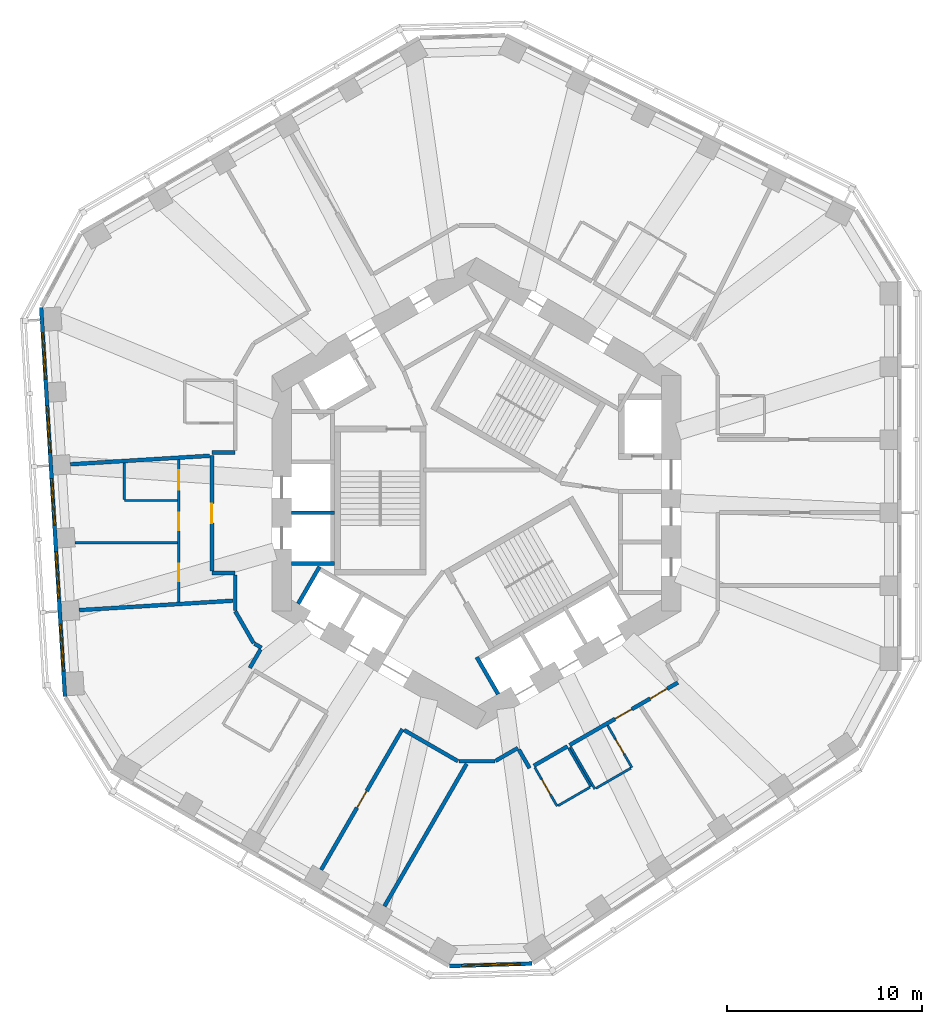
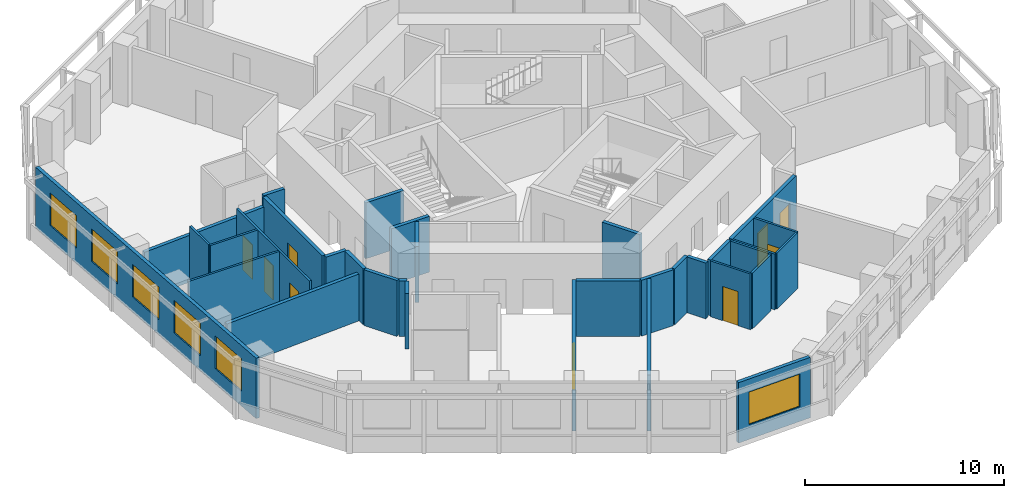
# One storey, part 4 of 11: 33 walls, 9 doors, 6 windows, 15 openings.
"""IFC4 building model written with IfcOpenShell, lengths in metres."""

from ifc_helpers import new_model, si_unit, direction, frame, frame_2d, origin, place, context, subcontext, project, spatial, rectangle, extrude, material, layer, layer_set, type_object, element, fill, save


model = new_model("IFC4")

# Units and contexts
model_context = context("Model", 3, precision=1e-05, world=origin(), true_north=direction((0.0, 1.0)))
body_context = subcontext(model_context, "Body", "Model", "MODEL_VIEW")
ifc_project = project(units=[si_unit("LENGTHUNIT", "METRE"), si_unit("AREAUNIT", "SQUARE_METRE"), si_unit("VOLUMEUNIT", "CUBIC_METRE"), si_unit("PLANEANGLEUNIT", "RADIAN"), si_unit("MASSUNIT", "GRAM", prefix="KILO")], contexts=[model_context])

# Site, building, storey
site_placement = place(None, origin())
site = spatial("IfcSite", under=ifc_project, at=site_placement, CompositionType="ELEMENT")
building_placement = place(site_placement, origin())
building = spatial("IfcBuilding", under=site, at=building_placement, Name="Vanh Sen Convention Tower", CompositionType="ELEMENT")
storey_placement = place(building_placement, frame((0.0, 0.0, 168.800048828125)))
storey = spatial("IfcBuildingStorey", under=building, at=storey_placement, Name="L41", CompositionType="ELEMENT", Elevation=168.800048828125)

# Walls
ifc_material_1 = material(Name="Moisture-resistant gypsum board on steel studs", Category="steel")
ifc_layer_1 = layer(ifc_material_1, 0.1201171875)
ifc_layer_set_1 = layer_set([ifc_layer_1], Name="Moisture-resistant gypsum board on steel studs")
wall_type_1 = type_object("IfcWallType", Name="Bathroom partition 120", PredefinedType="PARTITIONING", material=ifc_layer_set_1)
wall_1_placement = place(storey_placement, frame((-20.63330078125, -2.540771484375, 0.0), z_axis=(0.0, 0.0, 1.0), x_axis=(1.0, 0.0, 0.0)))
element("IfcWall", 1, at=wall_1_placement, inside=storey, type_object=wall_type_1, Name="Bathroom partition 120", PredefinedType="PARTITIONING", context=body_context, shape_type="SweptSolid", body=[
    extrude(rectangle(XDim=5.272216796875, YDim=0.1201171875, at=frame_2d((2.63623046875, 0.0))), origin(), (0.0, 0.0, 1.0), 3.419921875),
])
wall_2_placement = place(storey_placement, frame((-18.10107421875, -0.369384765625, 0.0), z_axis=(0.0, 0.0, 1.0), x_axis=(1.0, 0.0, 0.0)))
element("IfcWall", 2, at=wall_2_placement, inside=storey, type_object=wall_type_1, Name="Bathroom partition 120", PredefinedType="PARTITIONING", context=body_context, shape_type="SweptSolid", body=[
    extrude(rectangle(XDim=2.739990234375, YDim=0.1201171875, at=frame_2d((1.3701171875, 0.0))), origin(), (0.0, 0.0, 1.0), 3.419921875),
])
wall_3_placement = place(storey_placement, frame((-18.10107421875, 1.559326171875, 0.0), z_axis=(0.0, 0.0, 1.0), x_axis=(0.0, -1.0, 0.0)))
element("IfcWall", 3, at=wall_3_placement, inside=storey, type_object=wall_type_1, Name="Bathroom partition 120", PredefinedType="PARTITIONING", context=body_context, shape_type="SweptSolid", body=[
    extrude(rectangle(XDim=1.86865234375, YDim=0.1201171875, at=frame_2d((0.934326171875, 0.0))), origin(), (0.0, 0.0, 1.0), 3.419921875),
])

# Wall, openings, doors
wall_4_placement = place(storey_placement, frame((-15.301025390625, 1.730712890625, 0.0), z_axis=(0.0, 0.0, 1.0), x_axis=(0.0, -1.0, 0.0)))
wall_4 = element("IfcWall", 4, at=wall_4_placement, inside=storey, type_object=wall_type_1, Name="Bathroom partition 120", PredefinedType="PARTITIONING", context=body_context, shape_type="SweptSolid", body=[
    extrude(rectangle(XDim=7.322265625, YDim=0.1201171875, at=frame_2d((3.6611328125, 0.0))), origin(), (0.0, 0.0, 1.0), 3.419921875),
])
opening_1_placement = place(wall_4_placement, frame((0.550048828125, 0.0, 0.0)))
opening_1 = element("IfcOpeningElement", 5, at=opening_1_placement, cuts=wall_4, Name="Opening D41110", PredefinedType="OPENING", context=body_context, shape_type="SweptSolid", body=[
    extrude(rectangle(XDim=1.0, YDim=2.10009765625, at=frame_2d((0.5, 1.050048828125))), frame((0.0, 0.070068359375, 0.0), z_axis=(0.0, -1.0, 0.0), x_axis=(1.0, 0.0, 0.0)), (0.0, 0.0, 1.0), 0.14013671875),
])
opening_2_placement = place(wall_4_placement, frame((2.735595703125, 0.0, 0.0)))
opening_2 = element("IfcOpeningElement", 6, at=opening_2_placement, cuts=wall_4, Name="Opening D41111", PredefinedType="OPENING", context=body_context, shape_type="SweptSolid", body=[
    extrude(rectangle(XDim=0.89990234375, YDim=2.10009765625, at=frame_2d((0.449951171875, 1.050048828125))), frame((0.0, 0.070068359375, 0.0), z_axis=(0.0, -1.0, 0.0), x_axis=(1.0, 0.0, 0.0)), (0.0, 0.0, 1.0), 0.14013671875),
])
opening_3_placement = place(wall_4_placement, frame((5.3466796875, 0.0, 0.0)))
opening_3 = element("IfcOpeningElement", 7, at=opening_3_placement, cuts=wall_4, Name="Opening D41112", PredefinedType="OPENING", context=body_context, shape_type="SweptSolid", body=[
    extrude(rectangle(XDim=0.89990234375, YDim=2.10009765625, at=frame_2d((0.449951171875, 1.050048828125))), frame((0.0, 0.070068359375, 0.0), z_axis=(0.0, -1.0, 0.0), x_axis=(1.0, 0.0, 0.0)), (0.0, 0.0, 1.0), 0.14013671875),
])
ifc_material_2 = material(Name="Laminate door in steel frame", Category="steel")
door_type_1 = type_object("IfcDoorType", Name="Accessible WC door 1000", OperationType="SINGLE_SWING_LEFT", PredefinedType="DOOR", material=ifc_material_2)
door_1_placement = place(opening_1_placement, origin())
door_1 = element("IfcDoor", 8, at=door_1_placement, inside=storey, type_object=door_type_1, Name="Accessible WC door D41110", OperationType="SINGLE_SWING_LEFT", OverallHeight=2.10009765625, OverallWidth=1.0, PredefinedType="DOOR", context=body_context, shape_type="SweptSolid", body=[
    extrude(rectangle(XDim=1.0, YDim=2.10009765625, at=frame_2d((0.5, 1.050048828125))), frame((0.0, 0.02490234375, 0.0), z_axis=(0.0, -1.0, 0.0), x_axis=(1.0, 0.0, 0.0)), (0.0, 0.0, 1.0), 0.050048828125),
])
fill(opening_1, door_1)
door_type_2 = type_object("IfcDoorType", Name="Room internal door 900", OperationType="SINGLE_SWING_LEFT", PredefinedType="DOOR", material=ifc_material_2)
door_2_placement = place(opening_2_placement, origin())
door_2 = element("IfcDoor", 9, at=door_2_placement, inside=storey, type_object=door_type_2, Name="Internal room door D41111", OperationType="SINGLE_SWING_LEFT", OverallHeight=2.10009765625, OverallWidth=0.89990234375, PredefinedType="DOOR", context=body_context, shape_type="SweptSolid", body=[
    extrude(rectangle(XDim=0.89990234375, YDim=2.10009765625, at=frame_2d((0.449951171875, 1.050048828125))), frame((0.0, 0.02490234375, 0.0), z_axis=(0.0, -1.0, 0.0), x_axis=(1.0, 0.0, 0.0)), (0.0, 0.0, 1.0), 0.050048828125),
])
fill(opening_2, door_2)
door_3_placement = place(opening_3_placement, origin())
door_3 = element("IfcDoor", 10, at=door_3_placement, inside=storey, type_object=door_type_2, Name="Internal room door D41112", OperationType="SINGLE_SWING_LEFT", OverallHeight=2.10009765625, OverallWidth=0.89990234375, PredefinedType="DOOR", context=body_context, shape_type="SweptSolid", body=[
    extrude(rectangle(XDim=0.89990234375, YDim=2.10009765625, at=frame_2d((0.449951171875, 1.050048828125))), frame((0.0, 0.02490234375, 0.0), z_axis=(0.0, -1.0, 0.0), x_axis=(1.0, 0.0, 0.0)), (0.0, 0.0, 1.0), 0.050048828125),
])
fill(opening_3, door_3)

# Wall, opening, door
wall_5_placement = place(storey_placement, frame((4.145751953125, -16.082763671875, 0.0), z_axis=(0.0, 0.0, 1.0), x_axis=(-0.499952165731, 0.866053019151, 0.0)))
wall_5 = element("IfcWall", 11, at=wall_5_placement, inside=storey, type_object=wall_type_1, Name="Bathroom partition 120", PredefinedType="PARTITIONING", context=body_context, shape_type="SweptSolid", body=[
    extrude(rectangle(XDim=2.300048828125, YDim=0.1201171875, at=frame_2d((1.14990234375, 0.0))), origin(), (0.0, 0.0, 1.0), 3.419921875),
])
opening_4_placement = place(wall_5_placement, frame((0.699951171875, 0.0, 0.0)))
opening_4 = element("IfcOpeningElement", 12, at=opening_4_placement, cuts=wall_5, Name="Opening D41117", PredefinedType="OPENING", context=body_context, shape_type="SweptSolid", body=[
    extrude(rectangle(XDim=0.89990234375, YDim=2.10009765625, at=frame_2d((0.449951171875, 1.050048828125))), frame((0.0, 0.070068359375, 0.0), z_axis=(0.0, -1.0, 0.0), x_axis=(1.0, 0.0, 0.0)), (0.0, 0.0, 1.0), 0.14013671875),
])
door_4_placement = place(opening_4_placement, origin())
door_4 = element("IfcDoor", 13, at=door_4_placement, inside=storey, type_object=door_type_2, Name="Internal room door D41117", OperationType="SINGLE_SWING_LEFT", OverallHeight=2.10009765625, OverallWidth=0.89990234375, PredefinedType="DOOR", context=body_context, shape_type="SweptSolid", body=[
    extrude(rectangle(XDim=0.89990234375, YDim=2.10009765625, at=frame_2d((0.449951171875, 1.050048828125))), frame((0.0, 0.02490234375, 0.0), z_axis=(0.0, -1.0, 0.0), x_axis=(1.0, 0.0, 0.0)), (0.0, 0.0, 1.0), 0.050048828125),
])
fill(opening_4, door_4)

# Walls
wall_6_placement = place(storey_placement, frame((4.727783203125, -13.0908203125, 0.0), z_axis=(0.0, 0.0, 1.0), x_axis=(0.500031774688, -0.866007057882, 0.0)))
element("IfcWall", 14, at=wall_6_placement, inside=storey, type_object=wall_type_1, Name="Bathroom partition 120", PredefinedType="PARTITIONING", context=body_context, shape_type="SweptSolid", body=[
    extrude(rectangle(XDim=2.300048828125, YDim=0.1201171875, at=frame_2d((1.14990234375, 0.0))), origin(), (0.0, 0.0, 1.0), 3.419921875),
])
wall_7_placement = place(storey_placement, frame((5.825927734375, -15.11279296875, 0.0), z_axis=(0.0, 0.0, 1.0), x_axis=(-0.866045024864, -0.499966013754, 0.0)))
element("IfcWall", 15, at=wall_7_placement, inside=storey, type_object=wall_type_1, Name="Bathroom partition 120", PredefinedType="PARTITIONING", context=body_context, shape_type="SweptSolid", body=[
    extrude(rectangle(XDim=1.880126953125, YDim=0.1201171875, at=frame_2d((0.93994140625, 0.0))), origin(), (0.0, 0.0, 1.0), 3.419921875),
])
wall_8_placement = place(storey_placement, frame((6.081787109375, -15.196044921875, 0.0), z_axis=(0.0, 0.0, 1.0), x_axis=(-0.500004234368, 0.866022959057, 0.0)))
element("IfcWall", 16, at=wall_8_placement, inside=storey, type_object=wall_type_1, Name="Bathroom partition 120", PredefinedType="PARTITIONING", context=body_context, shape_type="SweptSolid", body=[
    extrude(rectangle(XDim=2.5, YDim=0.1201171875, at=frame_2d((1.25, 0.0))), origin(), (0.0, 0.0, 1.0), 3.419921875),
])

# Wall, opening, door
wall_9_placement = place(storey_placement, frame((6.737060546875, -11.930908203125, 0.0), z_axis=(0.0, 0.0, 1.0), x_axis=(0.500004234368, -0.866022959057, 0.0)))
wall_9 = element("IfcWall", 17, at=wall_9_placement, inside=storey, type_object=wall_type_1, Name="Bathroom partition 120", PredefinedType="PARTITIONING", context=body_context, shape_type="SweptSolid", body=[
    extrude(rectangle(XDim=2.5, YDim=0.1201171875, at=frame_2d((1.25, 0.0))), origin(), (0.0, 0.0, 1.0), 3.419921875),
])
opening_5_placement = place(wall_9_placement, frame((0.800048828125, 0.0, 0.0)))
opening_5 = element("IfcOpeningElement", 18, at=opening_5_placement, cuts=wall_9, Name="Opening D41118", PredefinedType="OPENING", context=body_context, shape_type="SweptSolid", body=[
    extrude(rectangle(XDim=0.89990234375, YDim=2.10009765625, at=frame_2d((0.449951171875, 1.050048828125))), frame((0.0, 0.070068359375, 0.0), z_axis=(0.0, -1.0, 0.0), x_axis=(1.0, 0.0, 0.0)), (0.0, 0.0, 1.0), 0.14013671875),
])
door_5_placement = place(opening_5_placement, origin())
door_5 = element("IfcDoor", 19, at=door_5_placement, inside=storey, type_object=door_type_2, Name="Internal room door D41118", OperationType="SINGLE_SWING_LEFT", OverallHeight=2.10009765625, OverallWidth=0.89990234375, PredefinedType="DOOR", context=body_context, shape_type="SweptSolid", body=[
    extrude(rectangle(XDim=0.89990234375, YDim=2.10009765625, at=frame_2d((0.449951171875, 1.050048828125))), frame((0.0, 0.02490234375, 0.0), z_axis=(0.0, -1.0, 0.0), x_axis=(1.0, 0.0, 0.0)), (0.0, 0.0, 1.0), 0.050048828125),
])
fill(opening_5, door_5)

# Walls
wall_10_placement = place(storey_placement, frame((7.93505859375, -14.1259765625, 0.0), z_axis=(0.0, 0.0, 1.0), x_axis=(-0.866009661879, -0.500027264788, 0.0)))
element("IfcWall", 20, at=wall_10_placement, inside=storey, type_object=wall_type_1, Name="Bathroom partition 120", PredefinedType="PARTITIONING", context=body_context, shape_type="SweptSolid", body=[
    extrude(rectangle(XDim=2.080078125, YDim=0.1201171875, at=frame_2d((1.0400390625, 0.0))), origin(), (0.0, 0.0, 1.0), 3.419921875),
])
ifc_material_3 = material(Name="Gypsum board on steel studs with mineral wool", Category="steel")
ifc_layer_2 = layer(ifc_material_3, 0.199951171875)
ifc_layer_set_2 = layer_set([ifc_layer_2], Name="Gypsum board on steel studs with mineral wool")
wall_type_2 = type_object("IfcWallType", Name="Corridor partition wall 200", PredefinedType="PARTITIONING", material=ifc_layer_set_2)
wall_11_placement = place(storey_placement, frame((-13.60107421875, -4.10107421875, 0.0), z_axis=(0.0, 0.0, 1.0), x_axis=(1.0, 0.0, 0.0)))
element("IfcWall", 21, at=wall_11_placement, inside=storey, type_object=wall_type_2, Name="Corridor partition wall 200", PredefinedType="PARTITIONING", context=body_context, shape_type="SweptSolid", body=[
    extrude(rectangle(XDim=1.201171875, YDim=0.199951171875, at=frame_2d((0.6005859375, 0.0))), origin(), (0.0, 0.0, 1.0), 3.419921875),
])

# Wall, opening, door
wall_12_placement = place(storey_placement, frame((-13.60107421875, 1.9345703125, 0.0), z_axis=(0.0, 0.0, 1.0), x_axis=(0.0, -1.0, 0.0)))
wall_12 = element("IfcWall", 22, at=wall_12_placement, inside=storey, type_object=wall_type_2, Name="Corridor partition wall 200", PredefinedType="PARTITIONING", context=body_context, shape_type="SweptSolid", body=[
    extrude(rectangle(XDim=5.935546875, YDim=0.199951171875, at=frame_2d((2.9677734375, 0.0))), origin(), (0.0, 0.0, 1.0), 3.419921875),
])
opening_6_placement = place(wall_12_placement, frame((2.4677734375, 0.0, 0.0)))
opening_6 = element("IfcOpeningElement", 23, at=opening_6_placement, cuts=wall_12, Name="Opening D41109", PredefinedType="OPENING", context=body_context, shape_type="SweptSolid", body=[
    extrude(rectangle(XDim=1.0, YDim=2.10009765625, at=frame_2d((0.5, 1.050048828125))), frame((0.0, 0.10986328125, 0.0), z_axis=(0.0, -1.0, 0.0), x_axis=(1.0, 0.0, 0.0)), (0.0, 0.0, 1.0), 0.219970703125),
])
ifc_material_4 = material(Name="Timber fire door in steel frame", Category="steel")
door_type_3 = type_object("IfcDoorType", Name="Floor room door 1000", OperationType="SINGLE_SWING_LEFT", PredefinedType="DOOR", material=ifc_material_4)
door_6_placement = place(opening_6_placement, origin())
door_6 = element("IfcDoor", 24, at=door_6_placement, inside=storey, type_object=door_type_3, Name="Meeting and amenity room door D41109", OperationType="SINGLE_SWING_LEFT", OverallHeight=2.10009765625, OverallWidth=1.0, PredefinedType="DOOR", context=body_context, shape_type="SweptSolid", body=[
    extrude(rectangle(XDim=1.0, YDim=2.10009765625, at=frame_2d((0.5, 1.050048828125))), frame((0.0, 0.02490234375, 0.0), z_axis=(0.0, -1.0, 0.0), x_axis=(1.0, 0.0, 0.0)), (0.0, 0.0, 1.0), 0.050048828125),
])
fill(opening_6, door_6)

# Walls
wall_13_placement = place(storey_placement, frame((-12.39990234375, -6.062255859375, 0.0), z_axis=(0.0, 0.0, 1.0), x_axis=(0.500022797313, -0.86601224135, 0.0)))
element("IfcWall", 25, at=wall_13_placement, inside=storey, type_object=wall_type_2, Name="Corridor partition wall 200", PredefinedType="PARTITIONING", context=body_context, shape_type="SweptSolid", body=[
    extrude(rectangle(XDim=1.89990234375, YDim=0.199951171875, at=frame_2d((0.949951171875, 0.0))), origin(), (0.0, 0.0, 1.0), 3.419921875),
])
wall_14_placement = place(storey_placement, frame((-12.39990234375, -4.200927734375, 0.0), z_axis=(0.0, 0.0, 1.0), x_axis=(0.0, -1.0, 0.0)))
element("IfcWall", 26, at=wall_14_placement, inside=storey, type_object=wall_type_2, Name="Corridor partition wall 200", PredefinedType="PARTITIONING", context=body_context, shape_type="SweptSolid", body=[
    extrude(rectangle(XDim=1.8212890625, YDim=0.199951171875, at=frame_2d((0.91064453125, 0.0))), origin(), (0.0, 0.0, 1.0), 3.419921875),
])
wall_15_placement = place(storey_placement, frame((-12.39990234375, 2.10107421875, 0.0), z_axis=(0.0, 0.0, 1.0), x_axis=(-1.0, 0.0, 0.0)))
element("IfcWall", 27, at=wall_15_placement, inside=storey, type_object=wall_type_2, Name="Corridor partition wall 200", PredefinedType="PARTITIONING", context=body_context, shape_type="SweptSolid", body=[
    extrude(rectangle(XDim=1.201171875, YDim=0.199951171875, at=frame_2d((0.6005859375, 0.0))), origin(), (0.0, 0.0, 1.0), 3.419921875),
])
wall_16_placement = place(storey_placement, frame((-11.415283203125, -7.7275390625, 0.0), z_axis=(0.0, 0.0, 1.0), x_axis=(0.865915281873, -0.500190688257, 0.0)))
element("IfcWall", 28, at=wall_16_placement, inside=storey, type_object=wall_type_2, Name="Corridor partition wall 200", PredefinedType="PARTITIONING", context=body_context, shape_type="SweptSolid", body=[
    extrude(rectangle(XDim=0.421142578125, YDim=0.199951171875, at=frame_2d((0.21044921875, 0.0))), origin(), (0.0, 0.0, 1.0), 3.419921875),
])
wall_17_placement = place(storey_placement, frame((-11.1005859375, -8.02490234375, 0.0), z_axis=(0.0, 0.0, 1.0), x_axis=(-0.500074377092, -0.865982457891, 0.0)))
element("IfcWall", 29, at=wall_17_placement, inside=storey, type_object=wall_type_2, Name="Corridor partition wall 200", PredefinedType="PARTITIONING", context=body_context, shape_type="SweptSolid", body=[
    extrude(rectangle(XDim=1.100830078125, YDim=0.199951171875, at=frame_2d((0.55029296875, 0.0))), origin(), (0.0, 0.0, 1.0), 3.419921875),
])

# Wall, opening, door
wall_18_placement = place(storey_placement, frame((-7.983642578125, -19.3505859375, 0.0), z_axis=(0.0, 0.0, 1.0), x_axis=(0.500010139422, 0.866019549707, 0.0)))
wall_18 = element("IfcWall", 30, at=wall_18_placement, inside=storey, type_object=wall_type_2, Name="Corridor partition wall 200", PredefinedType="PARTITIONING", context=body_context, shape_type="SweptSolid", body=[
    extrude(rectangle(XDim=8.349853515625, YDim=0.199951171875, at=frame_2d((4.1748046875, 0.0))), origin(), (0.0, 0.0, 1.0), 3.419921875),
])
opening_7_placement = place(wall_18_placement, frame((3.675048828125, 0.0, 0.0)))
opening_7 = element("IfcOpeningElement", 31, at=opening_7_placement, cuts=wall_18, Name="Opening D41115", PredefinedType="OPENING", context=body_context, shape_type="SweptSolid", body=[
    extrude(rectangle(XDim=1.0, YDim=2.10009765625, at=frame_2d((0.5, 1.050048828125))), frame((0.0, 0.10986328125, 0.0), z_axis=(0.0, -1.0, 0.0), x_axis=(1.0, 0.0, 0.0)), (0.0, 0.0, 1.0), 0.219970703125),
])
ifc_material_5 = material(Name="Glazed fire door in steel frame", Category="steel")
door_type_4 = type_object("IfcDoorType", Name="Tenant entrance door 1000", OperationType="SINGLE_SWING_LEFT", PredefinedType="DOOR", material=ifc_material_5)
door_7_placement = place(opening_7_placement, origin())
door_7 = element("IfcDoor", 32, at=door_7_placement, inside=storey, type_object=door_type_4, Name="Tenant suite entrance door D41115", OperationType="SINGLE_SWING_LEFT", OverallHeight=2.10009765625, OverallWidth=1.0, PredefinedType="DOOR", context=body_context, shape_type="SweptSolid", body=[
    extrude(rectangle(XDim=1.0, YDim=2.10009765625, at=frame_2d((0.5, 1.050048828125))), frame((0.0, 0.02490234375, 0.0), z_axis=(0.0, -1.0, 0.0), x_axis=(1.0, 0.0, 0.0)), (0.0, 0.0, 1.0), 0.050048828125),
])
fill(opening_7, door_7)

# Walls
wall_19_placement = place(storey_placement, frame((-3.721923828125, -12.16943359375, 0.0), z_axis=(0.0, 0.0, 1.0), x_axis=(0.866033163891, -0.499986558861, 0.0)))
element("IfcWall", 33, at=wall_19_placement, inside=storey, type_object=wall_type_2, Name="Corridor partition wall 200", PredefinedType="PARTITIONING", context=body_context, shape_type="SweptSolid", body=[
    extrude(rectangle(XDim=3.20068359375, YDim=0.199951171875, at=frame_2d((1.600341796875, 0.0))), origin(), (0.0, 0.0, 1.0), 3.419921875),
])
wall_20_placement = place(storey_placement, frame((-0.909912109375, -13.769775390625, 0.0), z_axis=(0.0, 0.0, 1.0), x_axis=(1.0, 0.0, 0.0)))
element("IfcWall", 34, at=wall_20_placement, inside=storey, type_object=wall_type_2, Name="Corridor partition wall 200", PredefinedType="PARTITIONING", context=body_context, shape_type="SweptSolid", body=[
    extrude(rectangle(XDim=1.85986328125, YDim=0.199951171875, at=frame_2d((0.929931640625, 0.0))), origin(), (0.0, 0.0, 1.0), 3.419921875),
])
wall_21_placement = place(storey_placement, frame((0.984619140625, -13.749755859375, 0.0), z_axis=(0.0, 0.0, 1.0), x_axis=(0.866028661061, 0.499994358189, 0.0)))
element("IfcWall", 35, at=wall_21_placement, inside=storey, type_object=wall_type_2, Name="Corridor partition wall 200", PredefinedType="PARTITIONING", context=body_context, shape_type="SweptSolid", body=[
    extrude(rectangle(XDim=1.3212890625, YDim=0.199951171875, at=frame_2d((0.66064453125, 0.0))), origin(), (0.0, 0.0, 1.0), 3.419921875),
])
wall_22_placement = place(storey_placement, frame((2.1787109375, -13.17578125, 0.0), z_axis=(0.0, 0.0, 1.0), x_axis=(0.499978356969, -0.866037899034, 0.0)))
element("IfcWall", 36, at=wall_22_placement, inside=storey, type_object=wall_type_2, Name="Corridor partition wall 200", PredefinedType="PARTITIONING", context=body_context, shape_type="SweptSolid", body=[
    extrude(rectangle(XDim=1.10107421875, YDim=0.199951171875, at=frame_2d((0.550537109375, 0.0))), origin(), (0.0, 0.0, 1.0), 3.419921875),
])
wall_23_placement = place(storey_placement, frame((2.94580078125, -14.00439453125, 0.0), z_axis=(0.0, 0.0, 1.0), x_axis=(0.866041268327, 0.499972520799, 0.0)))
element("IfcWall", 37, at=wall_23_placement, inside=storey, type_object=wall_type_2, Name="Corridor partition wall 200", PredefinedType="PARTITIONING", context=body_context, shape_type="SweptSolid", body=[
    extrude(rectangle(XDim=2.0, YDim=0.199951171875, at=frame_2d((1.0, 0.0))), origin(), (0.0, 0.0, 1.0), 3.419921875),
])

# Wall, openings, doors
wall_24_placement = place(storey_placement, frame((4.78173828125, -12.9443359375, 0.0), z_axis=(0.0, 0.0, 1.0), x_axis=(0.866022506829, 0.50000501764, 0.0)))
wall_24 = element("IfcWall", 38, at=wall_24_placement, inside=storey, type_object=wall_type_2, Name="Corridor partition wall 200", PredefinedType="PARTITIONING", context=body_context, shape_type="SweptSolid", body=[
    extrude(rectangle(XDim=6.43212890625, YDim=0.199951171875, at=frame_2d((3.216064453125, 0.0))), origin(), (0.0, 0.0, 1.0), 3.419921875),
])
opening_8_placement = place(wall_24_placement, frame((2.70361328125, 0.0, 0.0)))
opening_8 = element("IfcOpeningElement", 39, at=opening_8_placement, cuts=wall_24, Name="Opening D41116", PredefinedType="OPENING", context=body_context, shape_type="SweptSolid", body=[
    extrude(rectangle(XDim=1.0, YDim=2.10009765625, at=frame_2d((0.5, 1.050048828125))), frame((0.0, 0.10986328125, 0.0), z_axis=(0.0, -1.0, 0.0), x_axis=(1.0, 0.0, 0.0)), (0.0, 0.0, 1.0), 0.219970703125),
])
opening_9_placement = place(wall_24_placement, frame((4.794677734375, 0.0, 0.0)))
opening_9 = element("IfcOpeningElement", 40, at=opening_9_placement, cuts=wall_24, Name="Opening D41119", PredefinedType="OPENING", context=body_context, shape_type="SweptSolid", body=[
    extrude(rectangle(XDim=1.0, YDim=2.10009765625, at=frame_2d((0.5, 1.050048828125))), frame((0.0, 0.10986328125, 0.0), z_axis=(0.0, -1.0, 0.0), x_axis=(1.0, 0.0, 0.0)), (0.0, 0.0, 1.0), 0.219970703125),
])
door_8_placement = place(opening_9_placement, origin())
door_8 = element("IfcDoor", 41, at=door_8_placement, inside=storey, type_object=door_type_3, Name="Meeting and amenity room door D41119", OperationType="SINGLE_SWING_LEFT", OverallHeight=2.10009765625, OverallWidth=1.0, PredefinedType="DOOR", context=body_context, shape_type="SweptSolid", body=[
    extrude(rectangle(XDim=1.0, YDim=2.10009765625, at=frame_2d((0.5, 1.050048828125))), frame((0.0, 0.02490234375, 0.0), z_axis=(0.0, -1.0, 0.0), x_axis=(1.0, 0.0, 0.0)), (0.0, 0.0, 1.0), 0.050048828125),
])
fill(opening_9, door_8)
door_9_placement = place(opening_8_placement, origin())
door_9 = element("IfcDoor", 42, at=door_9_placement, inside=storey, type_object=door_type_4, Name="Tenant suite entrance door D41116", OperationType="SINGLE_SWING_LEFT", OverallHeight=2.10009765625, OverallWidth=1.0, PredefinedType="DOOR", context=body_context, shape_type="SweptSolid", body=[
    extrude(rectangle(XDim=1.0, YDim=2.10009765625, at=frame_2d((0.5, 1.050048828125))), frame((0.0, 0.02490234375, 0.0), z_axis=(0.0, -1.0, 0.0), x_axis=(1.0, 0.0, 0.0)), (0.0, 0.0, 1.0), 0.050048828125),
])
fill(opening_8, door_9)

# Wall, openings, windows
ifc_material_6 = material(Name="Insulated lightweight infill wall")
ifc_layer_3 = layer(ifc_material_6, 0.199951171875)
ifc_layer_set_3 = layer_set([ifc_layer_3], Name="Insulated lightweight infill wall")
wall_type_3 = type_object("IfcWallType", Name="External wall 200", PredefinedType="STANDARD", material=ifc_layer_set_3)
wall_25_placement = place(storey_placement, frame((-22.375, 9.55712890625, 0.0), z_axis=(0.0, 0.0, 1.0), x_axis=(0.061036015339, -0.998135564356, 0.0)))
wall_25 = element("IfcWall", 43, at=wall_25_placement, inside=storey, type_object=wall_type_3, Name="External wall W L41", PredefinedType="STANDARD", context=body_context, shape_type="SweptSolid", body=[
    extrude(rectangle(XDim=20.043701171875, YDim=0.199951171875, at=frame_2d((10.02197265625, 0.0))), origin(), (0.0, 0.0, 1.0), 3.699951171875),
])
opening_10_placement = place(wall_25_placement, frame((1.312744140625, 0.0, 0.89990234375)))
opening_10 = element("IfcOpeningElement", 44, at=opening_10_placement, cuts=wall_25, Name="Opening WO1-W1", PredefinedType="OPENING", context=body_context, shape_type="SweptSolid", body=[
    extrude(rectangle(XDim=2.39990234375, YDim=2.0, at=frame_2d((1.199951171875, 1.0))), frame((0.0, 0.10986328125, 0.0), z_axis=(0.0, -1.0, 0.0), x_axis=(1.0, 0.0, 0.0)), (0.0, 0.0, 1.0), 0.219970703125),
])
opening_11_placement = place(wall_25_placement, frame((5.06689453125, 0.0, 0.89990234375)))
opening_11 = element("IfcOpeningElement", 45, at=opening_11_placement, cuts=wall_25, Name="Opening WO1-W2", PredefinedType="OPENING", context=body_context, shape_type="SweptSolid", body=[
    extrude(rectangle(XDim=2.39990234375, YDim=2.0, at=frame_2d((1.199951171875, 1.0))), frame((0.0, 0.10986328125, 0.0), z_axis=(0.0, -1.0, 0.0), x_axis=(1.0, 0.0, 0.0)), (0.0, 0.0, 1.0), 0.219970703125),
])
opening_12_placement = place(wall_25_placement, frame((8.821044921875, 0.0, 0.89990234375)))
opening_12 = element("IfcOpeningElement", 46, at=opening_12_placement, cuts=wall_25, Name="Opening WO1-W3", PredefinedType="OPENING", context=body_context, shape_type="SweptSolid", body=[
    extrude(rectangle(XDim=2.39990234375, YDim=2.0, at=frame_2d((1.199951171875, 1.0))), frame((0.0, 0.10986328125, 0.0), z_axis=(0.0, -1.0, 0.0), x_axis=(1.0, 0.0, 0.0)), (0.0, 0.0, 1.0), 0.219970703125),
])
opening_13_placement = place(wall_25_placement, frame((12.5751953125, 0.0, 0.89990234375)))
opening_13 = element("IfcOpeningElement", 47, at=opening_13_placement, cuts=wall_25, Name="Opening WO1-W4", PredefinedType="OPENING", context=body_context, shape_type="SweptSolid", body=[
    extrude(rectangle(XDim=2.39990234375, YDim=2.0, at=frame_2d((1.199951171875, 1.0))), frame((0.0, 0.10986328125, 0.0), z_axis=(0.0, -1.0, 0.0), x_axis=(1.0, 0.0, 0.0)), (0.0, 0.0, 1.0), 0.219970703125),
])
opening_14_placement = place(wall_25_placement, frame((16.329345703125, 0.0, 0.89990234375)))
opening_14 = element("IfcOpeningElement", 48, at=opening_14_placement, cuts=wall_25, Name="Opening WO1-W5", PredefinedType="OPENING", context=body_context, shape_type="SweptSolid", body=[
    extrude(rectangle(XDim=2.39990234375, YDim=2.0, at=frame_2d((1.199951171875, 1.0))), frame((0.0, 0.10986328125, 0.0), z_axis=(0.0, -1.0, 0.0), x_axis=(1.0, 0.0, 0.0)), (0.0, 0.0, 1.0), 0.219970703125),
])
ifc_material_7 = material(Name="Aluminium frame with clear low-emissivity glass", Category="aluminium")
window_type_1 = type_object("IfcWindowType", Name="Office window 2400 x 2000", PartitioningType="SINGLE_PANEL", PredefinedType="WINDOW", material=ifc_material_7)
window_1_placement = place(opening_10_placement, origin())
window_1 = element("IfcWindow", 49, at=window_1_placement, inside=storey, type_object=window_type_1, Name="Window WO1-W1", OverallHeight=2.0, OverallWidth=2.39990234375, PartitioningType="SINGLE_PANEL", PredefinedType="WINDOW", context=body_context, shape_type="SweptSolid", body=[
    extrude(rectangle(XDim=2.39990234375, YDim=2.0, at=frame_2d((1.199951171875, 1.0))), frame((0.0, 0.030029296875, 0.0), z_axis=(0.0, -1.0, 0.0), x_axis=(1.0, 0.0, 0.0)), (0.0, 0.0, 1.0), 0.06005859375),
])
fill(opening_10, window_1)
window_2_placement = place(opening_11_placement, origin())
window_2 = element("IfcWindow", 50, at=window_2_placement, inside=storey, type_object=window_type_1, Name="Window WO1-W2", OverallHeight=2.0, OverallWidth=2.39990234375, PartitioningType="SINGLE_PANEL", PredefinedType="WINDOW", context=body_context, shape_type="SweptSolid", body=[
    extrude(rectangle(XDim=2.39990234375, YDim=2.0, at=frame_2d((1.199951171875, 1.0))), frame((0.0, 0.030029296875, 0.0), z_axis=(0.0, -1.0, 0.0), x_axis=(1.0, 0.0, 0.0)), (0.0, 0.0, 1.0), 0.06005859375),
])
fill(opening_11, window_2)
window_3_placement = place(opening_12_placement, origin())
window_3 = element("IfcWindow", 51, at=window_3_placement, inside=storey, type_object=window_type_1, Name="Window WO1-W3", OverallHeight=2.0, OverallWidth=2.39990234375, PartitioningType="SINGLE_PANEL", PredefinedType="WINDOW", context=body_context, shape_type="SweptSolid", body=[
    extrude(rectangle(XDim=2.39990234375, YDim=2.0, at=frame_2d((1.199951171875, 1.0))), frame((0.0, 0.030029296875, 0.0), z_axis=(0.0, -1.0, 0.0), x_axis=(1.0, 0.0, 0.0)), (0.0, 0.0, 1.0), 0.06005859375),
])
fill(opening_12, window_3)
window_4_placement = place(opening_13_placement, origin())
window_4 = element("IfcWindow", 52, at=window_4_placement, inside=storey, type_object=window_type_1, Name="Window WO1-W4", OverallHeight=2.0, OverallWidth=2.39990234375, PartitioningType="SINGLE_PANEL", PredefinedType="WINDOW", context=body_context, shape_type="SweptSolid", body=[
    extrude(rectangle(XDim=2.39990234375, YDim=2.0, at=frame_2d((1.199951171875, 1.0))), frame((0.0, 0.030029296875, 0.0), z_axis=(0.0, -1.0, 0.0), x_axis=(1.0, 0.0, 0.0)), (0.0, 0.0, 1.0), 0.06005859375),
])
fill(opening_13, window_4)
window_5_placement = place(opening_14_placement, origin())
window_5 = element("IfcWindow", 53, at=window_5_placement, inside=storey, type_object=window_type_1, Name="Window WO1-W5", OverallHeight=2.0, OverallWidth=2.39990234375, PartitioningType="SINGLE_PANEL", PredefinedType="WINDOW", context=body_context, shape_type="SweptSolid", body=[
    extrude(rectangle(XDim=2.39990234375, YDim=2.0, at=frame_2d((1.199951171875, 1.0))), frame((0.0, 0.030029296875, 0.0), z_axis=(0.0, -1.0, 0.0), x_axis=(1.0, 0.0, 0.0)), (0.0, 0.0, 1.0), 0.06005859375),
])
fill(opening_14, window_5)

# Wall, opening, window
wall_26_placement = place(storey_placement, frame((-1.377685546875, -24.302001953125, 0.0), z_axis=(0.0, 0.0, 1.0), x_axis=(0.999533857267, 0.030529791629, 0.0)))
wall_26 = element("IfcWall", 54, at=wall_26_placement, inside=storey, type_object=wall_type_3, Name="External wall CH5 L41", PredefinedType="STANDARD", context=body_context, shape_type="SweptSolid", body=[
    extrude(rectangle(XDim=4.23828125, YDim=0.199951171875, at=frame_2d((2.119140625, 0.0))), origin(), (0.0, 0.0, 1.0), 3.699951171875),
])
opening_15_placement = place(wall_26_placement, frame((0.619140625, 0.0, 0.89990234375)))
opening_15 = element("IfcOpeningElement", 55, at=opening_15_placement, cuts=wall_26, Name="Opening WO2-CH51", PredefinedType="OPENING", context=body_context, shape_type="SweptSolid", body=[
    extrude(rectangle(XDim=3.0, YDim=2.0, at=frame_2d((1.5, 1.0))), frame((0.0, 0.10986328125, 0.0), z_axis=(0.0, -1.0, 0.0), x_axis=(1.0, 0.0, 0.0)), (0.0, 0.0, 1.0), 0.219970703125),
])
window_type_2 = type_object("IfcWindowType", Name="Office window 3000 x 2000", PartitioningType="SINGLE_PANEL", PredefinedType="WINDOW", material=ifc_material_7)
window_6_placement = place(opening_15_placement, origin())
window_6 = element("IfcWindow", 56, at=window_6_placement, inside=storey, type_object=window_type_2, Name="Window WO2-CH51", OverallHeight=2.0, OverallWidth=3.0, PartitioningType="SINGLE_PANEL", PredefinedType="WINDOW", context=body_context, shape_type="SweptSolid", body=[
    extrude(rectangle(XDim=3.0, YDim=2.0, at=frame_2d((1.5, 1.0))), frame((0.0, 0.030029296875, 0.0), z_axis=(0.0, -1.0, 0.0), x_axis=(1.0, 0.0, 0.0)), (0.0, 0.0, 1.0), 0.06005859375),
])
fill(opening_15, window_6)

# Walls
ifc_material_8 = material(Name="Concrete C40/50", Category="concrete")
ifc_layer_4 = layer(ifc_material_8, 0.199951171875)
ifc_layer_set_4 = layer_set([ifc_layer_4], Name="Concrete C40/50")
wall_type_4 = type_object("IfcWallType", Name="Lift shaft wall 200", PredefinedType="PARTITIONING", material=ifc_layer_set_4)
for number, where, z_axis, x_axis, name in (
    (57, (-7.300048828125, -1.0, 0.0), (0.0, 0.0, 1.0), (-1.0, 0.0, 0.0), "Lift shaft wall L41"),
    (58, (-7.300048828125, -3.60009765625, 0.0), (0.0, 0.0, 1.0), (-1.0, 0.0, 0.0), "Lift shaft wall L41"),
    (59, (-8.066650390625, -3.77197265625, 0.0), (0.0, 0.0, 1.0), (-0.50002983664, -0.866008176907, 0.0), "Lift shaft wall L41"),
    (60, (0.0126953125, -8.422119140625, 0.0), (0.0, 0.0, 1.0), (0.500077893725, -0.86598042715, 0.0), "Lift shaft wall L41"),
):
    element("IfcWall", number, at=place(storey_placement, frame(where, z_axis=z_axis, x_axis=x_axis)), inside=storey, type_object=wall_type_4, Name=name, PredefinedType="PARTITIONING", context=body_context, shape_type="SweptSolid", body=[
        extrude(rectangle(XDim=2.199951171875, YDim=0.199951171875, at=frame_2d((1.10009765625, 0.0))), origin(), (0.0, 0.0, 1.0), 3.419921875),
    ])
ifc_layer_5 = layer(ifc_material_3, 0.199951171875)
ifc_layer_set_5 = layer_set([ifc_layer_5], Name="Gypsum board on steel studs with mineral wool")
wall_type_5 = type_object("IfcWallType", Name="Tenant suite wall 200", PredefinedType="PARTITIONING", material=ifc_layer_set_5)
wall_27_placement = place(storey_placement, frame((-20.8798828125, 1.489501953125, 0.0), z_axis=(0.0, 0.0, 1.0), x_axis=(0.998134881975, 0.061047173439, 0.0)))
element("IfcWall", 61, at=wall_27_placement, inside=storey, type_object=wall_type_5, Name="Tenant suite wall 200", PredefinedType="PARTITIONING", context=body_context, shape_type="SweptSolid", body=[
    extrude(rectangle(XDim=7.1826171875, YDim=0.199951171875, at=frame_2d((3.59130859375, 0.0))), origin(), (0.0, 0.0, 1.0), 2.869873046875),
])
wall_28_placement = place(storey_placement, frame((-20.42138671875, -6.0048828125, 0.0), z_axis=(0.0, 0.0, 1.0), x_axis=(0.998134865741, 0.061047438866, 0.0)))
element("IfcWall", 62, at=wall_28_placement, inside=storey, type_object=wall_type_5, Name="Tenant suite wall 200", PredefinedType="PARTITIONING", context=body_context, shape_type="SweptSolid", body=[
    extrude(rectangle(XDim=7.926513671875, YDim=0.199951171875, at=frame_2d((3.96337890625, 0.0))), origin(), (0.0, 0.0, 1.0), 2.869873046875),
])
wall_29_placement = place(storey_placement, frame((-4.732421875, -21.227783203125, 0.0), z_axis=(0.0, 0.0, 1.0), x_axis=(0.500000843414, 0.866024916838, 0.0)))
element("IfcWall", 63, at=wall_29_placement, inside=storey, type_object=wall_type_5, Name="Tenant suite wall 200", PredefinedType="PARTITIONING", context=body_context, shape_type="SweptSolid", body=[
    extrude(rectangle(XDim=8.45166015625, YDim=0.199951171875, at=frame_2d((4.225830078125, 0.0))), origin(), (0.0, 0.0, 1.0), 3.419921875),
])

save(model, "model.ifc")
